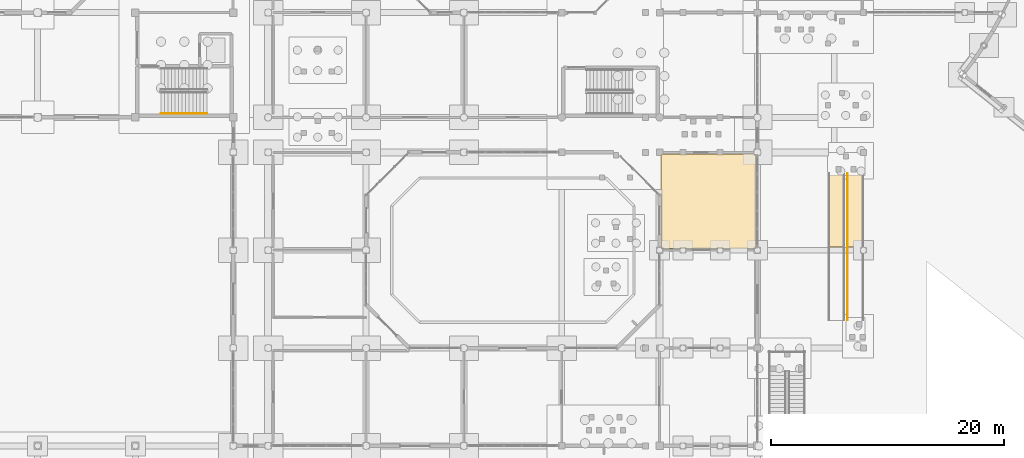
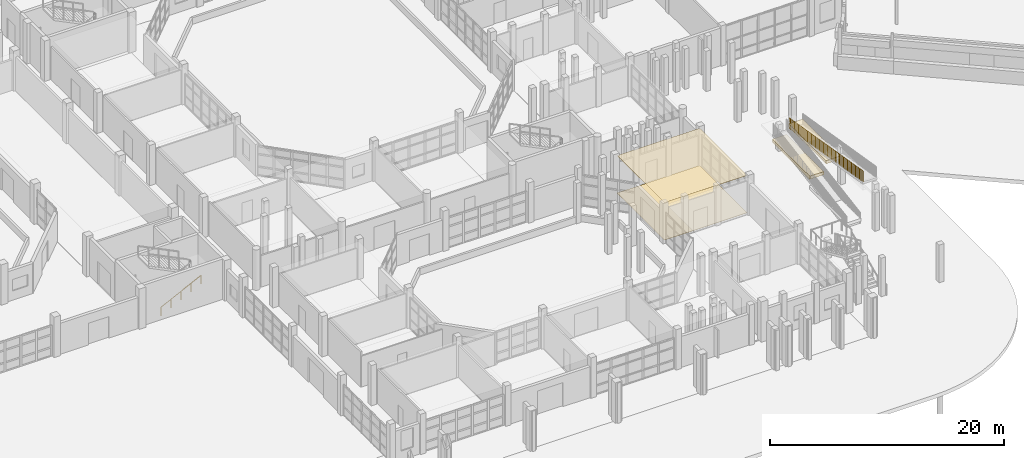
# One storey, part 76 of 88: 4 coverings, 2 railings.
"""IFC4 building model written with IfcOpenShell, lengths in metres."""

import ifcopenshell
import ifcopenshell.guid

model = None  # the IFC model being written
_history = None  # IfcOwnerHistory: only IFC2X3 demands one
_inside = {}  # id of a spatial element -> (the spatial element, [elements in it])
_under = {}  # id of a project, library or spatial element -> (it, [spatial elements below it])
_declared = {}  # id of a project -> (the project, [libraries it declares])
_typed = {}  # id of a type object -> (the type object, [elements of that type])
_made_of = {}  # id of a material, layer set ... -> (it, [elements and type objects made of it])


def new_model(schema):
    """Start an empty IFC model of exactly this schema.

    Asked for "IFC4X3", IfcOpenShell would pick the latest addendum, in which some entities
    have other attributes; the version numbers below select the first issue.
    IFC2X3 requires an IfcOwnerHistory on every rooted entity: one is made here for all.
    """
    global model, _history
    if schema == "IFC4X3":
        model = ifcopenshell.file(schema_version=(4, 3, 0, 0))
    else:
        model = ifcopenshell.file(schema=schema)
    _inside.clear()
    _under.clear()
    _declared.clear()
    _typed.clear()
    _made_of.clear()
    _history = None
    if model.schema == "IFC2X3":
        org = make("IfcOrganization", Name="unknown")
        user = make(
            "IfcPersonAndOrganization",
            ThePerson=make("IfcPerson", FamilyName="unknown"),
            TheOrganization=org,
        )
        app = make(
            "IfcApplication",
            ApplicationDeveloper=org,
            Version="unknown",
            ApplicationFullName="unknown",
            ApplicationIdentifier="unknown",
        )
        _history = make(
            "IfcOwnerHistory",
            OwningUser=user,
            OwningApplication=app,
            ChangeAction="ADDED",
            CreationDate=0,
        )
    return model


def make(cls, **values):
    """One entity of the class cls with the attributes given. An attribute that is None is left unset."""
    return model.create_entity(
        cls, **{name: value for name, value in values.items() if value is not None}
    )


def rooted(cls, **values):
    """An entity with a GlobalId (a new one), such as an element, a storey or a relation."""
    return make(cls, GlobalId=ifcopenshell.guid.new(), OwnerHistory=_history, **values)


def si_unit(unit_type, name, prefix=None):
    """IfcSIUnit, for example si_unit("LENGTHUNIT", "METRE", prefix="MILLI")."""
    return make("IfcSIUnit", UnitType=unit_type, Prefix=prefix, Name=name)


def assignment(units):
    """IfcUnitAssignment: the units of a project."""
    return None if units is None else make("IfcUnitAssignment", Units=units)


def point(xyz):
    """IfcCartesianPoint."""
    return None if xyz is None else make("IfcCartesianPoint", Coordinates=xyz)


def direction(xyz):
    """IfcDirection."""
    return None if xyz is None else make("IfcDirection", DirectionRatios=xyz)


def frame(location, z_axis=None, x_axis=None):
    """IfcAxis2Placement3D, a coordinate frame: its origin and axes. An axis left out is left unset."""
    return make(
        "IfcAxis2Placement3D",
        Location=point(location),
        Axis=direction(z_axis),
        RefDirection=direction(x_axis),
    )


def frame_2d(location, x_axis=None):
    """IfcAxis2Placement2D, a coordinate frame in the plane: its origin and x axis."""
    return make(
        "IfcAxis2Placement2D", Location=point(location), RefDirection=direction(x_axis)
    )


def origin():
    """The frame at (0, 0, 0) with its axes left unset."""
    return frame((0.0, 0.0, 0.0))


def origin_2d():
    """The frame at (0, 0) in the plane with its x axis left unset."""
    return frame_2d((0.0, 0.0))


def place(relative_to, where):
    """IfcLocalPlacement: puts the frame where relative to a parent placement (None: the world)."""
    return make(
        "IfcLocalPlacement", PlacementRelTo=relative_to, RelativePlacement=where
    )


def context(
    kind, dimensions, precision=None, world=None, true_north=None, identifier=None
):
    """IfcGeometricRepresentationContext, for example the 3D "Model" context."""
    return make(
        "IfcGeometricRepresentationContext",
        ContextIdentifier=identifier,
        ContextType=kind,
        CoordinateSpaceDimension=dimensions,
        Precision=precision,
        WorldCoordinateSystem=world,
        TrueNorth=true_north,
    )


def subcontext(parent, identifier, kind, view, scale=None):
    """IfcGeometricRepresentationSubContext, for example "Body" below "Model"."""
    return make(
        "IfcGeometricRepresentationSubContext",
        ContextIdentifier=identifier,
        ContextType=kind,
        ParentContext=parent,
        TargetScale=scale,
        TargetView=view,
    )


def project(units=None, contexts=None):
    """IfcProject with its units and contexts."""
    return rooted(
        "IfcProject",
        Name="project",
        RepresentationContexts=contexts,
        UnitsInContext=assignment(units),
    )


def spatial(cls, under=None, at=None, **own):
    """A site, building, storey or space (cls), placed at a placement, below another one or the project."""
    s = rooted(cls, ObjectPlacement=at, **own)
    if under is not None:
        _under.setdefault(under.id(), (under, []))[1].append(s)
    return s


def polyline(points):
    """IfcPolyline through the points."""
    return make("IfcPolyline", Points=[point(p) for p in points])


def profile(cls, at=None, kind="AREA", **sizes):
    """A parametric profile (cls). Its sizes go by their IFC names, for example OverallWidth=200.0."""
    return make(cls, ProfileType=kind, Position=at, **sizes)


def rectangle(**sizes):
    """IfcRectangleProfileDef."""
    return profile("IfcRectangleProfileDef", **sizes)


def circle(**sizes):
    """IfcCircleProfileDef."""
    return profile("IfcCircleProfileDef", **sizes)


def outline(outer, holes=None, kind="AREA"):
    """IfcArbitraryClosedProfileDef: a profile drawn as a closed curve; with holes, ...WithVoids."""
    if holes is None:
        return make("IfcArbitraryClosedProfileDef", ProfileType=kind, OuterCurve=outer)
    return make(
        "IfcArbitraryProfileDefWithVoids",
        ProfileType=kind,
        OuterCurve=outer,
        InnerCurves=holes,
    )


def extrude(swept, where, along, depth):
    """IfcExtrudedAreaSolid: the profile swept, set in the frame where, extruded along a direction by depth."""
    return make(
        "IfcExtrudedAreaSolid",
        SweptArea=swept,
        Position=where,
        ExtrudedDirection=direction(along),
        Depth=depth,
    )


def shape(context_of_items, identifier, shape_type, items):
    """IfcShapeRepresentation: the items that make up one representation, for example the "Body"."""
    return make(
        "IfcShapeRepresentation",
        ContextOfItems=context_of_items,
        RepresentationIdentifier=identifier,
        RepresentationType=shape_type,
        Items=items,
    )


def material(Name=None, Category=None):
    """IfcMaterial."""
    return make("IfcMaterial", Name=Name, Category=Category)


def layer(
    of_material, thickness, ventilated=None, Name=None, Category=None, Priority=None
):
    """IfcMaterialLayer: one layer of a wall or slab, of a material (None: an air gap)."""
    return make(
        "IfcMaterialLayer",
        Material=of_material,
        LayerThickness=thickness,
        IsVentilated=ventilated,
        Name=Name,
        Category=Category,
        Priority=Priority,
    )


def layer_set(layers, Name=None):
    """IfcMaterialLayerSet."""
    return make("IfcMaterialLayerSet", MaterialLayers=layers, LayerSetName=Name)


def made_of(thing, what):
    """Note that an element or type object is made of a material, layer set ...; save() writes the relation."""
    if what is not None:
        _made_of.setdefault(what.id(), (what, []))[1].append(thing)
    return thing


def type_object(cls, material=None, **own):
    """A type object (cls), such as IfcWallType, which elements share."""
    return made_of(rooted(cls, **own), material)


def element(
    cls,
    number,
    at=None,
    inside=None,
    cuts=None,
    type_object=None,
    material=None,
    context=None,
    identifier="Body",
    shape_type=None,
    held_by="IfcProductDefinitionShape",
    body=None,
    shapes=None,
    **own,
):
    """One element of the class cls, such as IfcWall. Its Tag is "e" and its number.

    at: its placement. inside: the storey or other place that contains it. cuts: it is an
    opening in that element (IfcRelVoidsElement). A single representation is given by context,
    identifier, shape_type and body (its items); several are given by shapes. held_by: the class
    of the entity that holds the representations. save() writes the other relations.
    """
    e = rooted(cls, Tag="e%d" % number, ObjectPlacement=at, **own)
    if body is not None:
        shapes = [shape(context, identifier, shape_type, body)]
    if shapes is not None:
        e.Representation = make(held_by, Representations=shapes)
    if inside is not None:
        _inside.setdefault(inside.id(), (inside, []))[1].append(e)
    if cuts is not None:
        rooted(
            "IfcRelVoidsElement", RelatingBuildingElement=cuts, RelatedOpeningElement=e
        )
    if type_object is not None:
        _typed.setdefault(type_object.id(), (type_object, []))[1].append(e)
    return made_of(e, material)


def aggregate(whole, parts):
    """IfcRelAggregates: a whole, such as a stair, and the parts it consists of."""
    return rooted("IfcRelAggregates", RelatingObject=whole, RelatedObjects=parts)


def save(model, path):
    """Write the relations noted so far, then the file.

    IfcRelAggregates (storeys below a building ...), IfcRelContainedInSpatialStructure (elements
    in a storey), IfcRelDefinesByType, IfcRelAssociatesMaterial and IfcRelDeclares: one each for
    every whole, place, type object, material and project.
    """
    for whole, parts in _under.values():
        aggregate(whole, parts)
    for where, things in _inside.values():
        rooted(
            "IfcRelContainedInSpatialStructure",
            RelatedElements=things,
            RelatingStructure=where,
        )
    for kind, things in _typed.values():
        rooted("IfcRelDefinesByType", RelatedObjects=things, RelatingType=kind)
    for what, things in _made_of.values():
        rooted("IfcRelAssociatesMaterial", RelatedObjects=things, RelatingMaterial=what)
    for by, libraries in _declared.values():
        rooted("IfcRelDeclares", RelatingContext=by, RelatedDefinitions=libraries)
    model.write(path)


model = new_model("IFC4")

# Units and contexts
model_context = context("Model", 3, precision=1e-05, world=origin(), true_north=direction((0.0, 1.0)))
body_context = subcontext(model_context, "Body", "Model", "MODEL_VIEW")
ifc_project = project(units=[si_unit("LENGTHUNIT", "METRE"), si_unit("AREAUNIT", "SQUARE_METRE"), si_unit("VOLUMEUNIT", "CUBIC_METRE"), si_unit("PLANEANGLEUNIT", "RADIAN"), si_unit("MASSUNIT", "GRAM", prefix="KILO")], contexts=[model_context])

# Site, building, storey
site_placement = place(None, origin())
site = spatial("IfcSite", under=ifc_project, at=site_placement, CompositionType="ELEMENT")
building_placement = place(site_placement, origin())
building = spatial("IfcBuilding", under=site, at=building_placement, Name="Vanh Quang Courtyard School", CompositionType="ELEMENT")
storey_placement = place(building_placement, origin())
storey = spatial("IfcBuildingStorey", under=building, at=storey_placement, Name="L00", CompositionType="ELEMENT", Elevation=0.0)

# Coverings
ifc_material_1 = material(Name="Perforated mineral-fibre acoustic ceiling board")
ifc_layer_1 = layer(ifc_material_1, 0.02490234375)
ifc_layer_set_1 = layer_set([ifc_layer_1], Name="Perforated mineral-fibre acoustic ceiling board")
covering_type_1 = type_object("IfcCoveringType", Name="COV-CEIL-ACOUSTIC", PredefinedType="CEILING", material=ifc_layer_set_1)
covering_1_placement = place(storey_placement, frame((0.0, 0.0, 3.89501953125)))
element("IfcCovering", 1, at=covering_1_placement, inside=storey, type_object=covering_type_1, Name="Covering CV-CL1 (L00)", PredefinedType="CEILING", context=body_context, shape_type="SweptSolid", body=[
    extrude(outline(polyline([(111.139892578125, 21.14990234375), (111.138916015625, 21.14990234375), (111.137939453125, 21.150146484375), (111.13720703125, 21.150390625), (111.13623046875, 21.15087890625), (111.13525390625, 21.151123046875), (111.134521484375, 21.151611328125), (111.1337890625, 21.15234375), (111.1328125, 21.15283203125), (111.13232421875, 21.15380859375), (111.131591796875, 21.154296875), (111.131103515625, 21.1552734375), (111.130859375, 21.15625), (111.13037109375, 21.156982421875), (111.130126953125, 21.157958984375), (111.1298828125, 21.158935546875), (111.1298828125, 21.159912109375), (111.1298828125, 29.239990234375), (111.1298828125, 29.240966796875), (111.130126953125, 29.241943359375), (111.13037109375, 29.242919921875), (111.130859375, 29.243896484375), (111.131103515625, 29.24462890625), (111.131591796875, 29.24560546875), (111.13232421875, 29.246337890625), (111.1328125, 29.2470703125), (111.1337890625, 29.247802734375), (111.134521484375, 29.248291015625), (111.13525390625, 29.248779296875), (111.13623046875, 29.249267578125), (111.13720703125, 29.24951171875), (111.137939453125, 29.249755859375), (111.138916015625, 29.25), (111.139892578125, 29.25), (119.260009765625, 29.25), (119.260986328125, 29.25), (119.261962890625, 29.249755859375), (119.262939453125, 29.24951171875), (119.263916015625, 29.249267578125), (119.2646484375, 29.248779296875), (119.265625, 29.248291015625), (119.266357421875, 29.247802734375), (119.26708984375, 29.2470703125), (119.267578125, 29.246337890625), (119.268310546875, 29.24560546875), (119.268798828125, 29.24462890625), (119.269287109375, 29.243896484375), (119.26953125, 29.242919921875), (119.269775390625, 29.241943359375), (119.27001953125, 29.240966796875), (119.27001953125, 29.239990234375), (119.27001953125, 21.159912109375), (119.27001953125, 21.158935546875), (119.269775390625, 21.157958984375), (119.26953125, 21.156982421875), (119.269287109375, 21.15625), (119.268798828125, 21.1552734375), (119.268310546875, 21.154296875), (119.267578125, 21.15380859375), (119.26708984375, 21.15283203125), (119.266357421875, 21.15234375), (119.265625, 21.151611328125), (119.2646484375, 21.151123046875), (119.263916015625, 21.15087890625), (119.262939453125, 21.150390625), (119.261962890625, 21.150146484375), (119.260986328125, 21.14990234375), (119.260009765625, 21.14990234375), (111.139892578125, 21.14990234375)])), origin(), (0.0, 0.0, 1.0), 0.02490234375),
])
ifc_material_2 = material(Name="Polished cementitious terrazzo tile", Category="concrete")
ifc_layer_2 = layer(ifc_material_2, 0.02001953125)
ifc_layer_set_2 = layer_set([ifc_layer_2], Name="Polished cementitious terrazzo tile")
covering_type_2 = type_object("IfcCoveringType", Name="COV-FLR-TERRAZZO", PredefinedType="FLOORING", material=ifc_layer_set_2)
covering_2_placement = place(storey_placement, origin())
element("IfcCovering", 2, at=covering_2_placement, inside=storey, type_object=covering_type_2, Name="Covering CV-FL1 (L00)", PredefinedType="FLOORING", context=body_context, shape_type="SweptSolid", body=[
    extrude(outline(polyline([(111.139892578125, 21.14990234375), (111.138916015625, 21.14990234375), (111.137939453125, 21.150146484375), (111.13720703125, 21.150390625), (111.13623046875, 21.15087890625), (111.13525390625, 21.151123046875), (111.134521484375, 21.151611328125), (111.1337890625, 21.15234375), (111.1328125, 21.15283203125), (111.13232421875, 21.15380859375), (111.131591796875, 21.154296875), (111.131103515625, 21.1552734375), (111.130859375, 21.15625), (111.13037109375, 21.156982421875), (111.130126953125, 21.157958984375), (111.1298828125, 21.158935546875), (111.1298828125, 21.159912109375), (111.1298828125, 29.239990234375), (111.1298828125, 29.240966796875), (111.130126953125, 29.241943359375), (111.13037109375, 29.242919921875), (111.130859375, 29.243896484375), (111.131103515625, 29.24462890625), (111.131591796875, 29.24560546875), (111.13232421875, 29.246337890625), (111.1328125, 29.2470703125), (111.1337890625, 29.247802734375), (111.134521484375, 29.248291015625), (111.13525390625, 29.248779296875), (111.13623046875, 29.249267578125), (111.13720703125, 29.24951171875), (111.137939453125, 29.249755859375), (111.138916015625, 29.25), (111.139892578125, 29.25), (119.260009765625, 29.25), (119.260986328125, 29.25), (119.261962890625, 29.249755859375), (119.262939453125, 29.24951171875), (119.263916015625, 29.249267578125), (119.2646484375, 29.248779296875), (119.265625, 29.248291015625), (119.266357421875, 29.247802734375), (119.26708984375, 29.2470703125), (119.267578125, 29.246337890625), (119.268310546875, 29.24560546875), (119.268798828125, 29.24462890625), (119.269287109375, 29.243896484375), (119.26953125, 29.242919921875), (119.269775390625, 29.241943359375), (119.27001953125, 29.240966796875), (119.27001953125, 29.239990234375), (119.27001953125, 21.159912109375), (119.27001953125, 21.158935546875), (119.269775390625, 21.157958984375), (119.26953125, 21.156982421875), (119.269287109375, 21.15625), (119.268798828125, 21.1552734375), (119.268310546875, 21.154296875), (119.267578125, 21.15380859375), (119.26708984375, 21.15283203125), (119.266357421875, 21.15234375), (119.265625, 21.151611328125), (119.2646484375, 21.151123046875), (119.263916015625, 21.15087890625), (119.262939453125, 21.150390625), (119.261962890625, 21.150146484375), (119.260986328125, 21.14990234375), (119.260009765625, 21.14990234375), (111.139892578125, 21.14990234375)])), origin(), (0.0, 0.0, 1.0), 0.02001953125),
])
ifc_material_3 = material(Name="Board-marked precast concrete C40/50", Category="concrete")
ifc_layer_3 = layer(ifc_material_3, 0.239990234375)
ifc_layer_set_3 = layer_set([ifc_layer_3], Name="Board-marked precast concrete C40/50")
covering_type_3 = type_object("IfcCoveringType", Name="COV-HOOD-CONC", PredefinedType="CLADDING", material=ifc_layer_set_3)
for number, where, z_axis, x_axis, name in (
    (3, (126.199951171875, 24.449951171875, 1.2548828125), (0.0, 0.0, 1.0), (1.0, 0.0, 0.0), "Covering CH-01 (L00)"),
    (4, (127.800048828125, 24.449951171875, 2.30517578125), (0.0, 0.0, 1.0), (1.0, 0.0, 0.0), "Covering CH-01 (L00)"),
):
    element("IfcCovering", number, at=place(storey_placement, frame(where, z_axis=z_axis, x_axis=x_axis)), inside=storey, type_object=covering_type_3, Name=name, PredefinedType="CLADDING", context=body_context, shape_type="SweptSolid", body=[
        extrude(rectangle(XDim=1.39990234375, YDim=6.3798828125, at=origin_2d()), origin(), (0.0, 0.0, 1.0), 0.320068359375),
    ])

# Railings
ifc_material_4 = material(Name="Galvanised painted steel EN 10025-2 S355J2", Category="steel")
railing_type_1 = type_object("IfcRailingType", Name="RAIL-GUARD-1150", PredefinedType="BALUSTRADE", material=ifc_material_4)
railing_1_placement = place(storey_placement, frame((127.14990234375, 27.60009765625, 2.10009765625)))
element("IfcRailing", 5, at=railing_1_placement, inside=storey, type_object=railing_type_1, Name="Railing GR-01 (L00)", PredefinedType="BALUSTRADE", context=body_context, shape_type="SweptSolid", body=[
    extrude(circle(Radius=0.02392578125, at=origin_2d()), frame((0.0, 0.0, 1.1259765625), z_axis=(0.0, -0.98639598997, 0.164386589997), x_axis=(1.0, 0.0, 0.0)), (0.0, 0.0, 1.0), 12.77392578125),
    extrude(circle(Radius=0.02099609375, at=origin_2d()), origin(), (0.0, 0.0, 1.0), 1.101806640625),
    extrude(circle(Radius=0.02099609375, at=origin_2d()), frame((0.0, -0.136962890625, 0.022705078125)), (0.0, 0.0, 1.0), 1.101806640625),
    extrude(circle(Radius=0.02099609375, at=origin_2d()), frame((0.0, -0.27392578125, 0.045654296875)), (0.0, 0.0, 1.0), 1.101806640625),
    extrude(circle(Radius=0.02099609375, at=origin_2d()), frame((0.0, -0.410888671875, 0.068359375)), (0.0, 0.0, 1.0), 1.101806640625),
    extrude(circle(Radius=0.02099609375, at=origin_2d()), frame((0.0, -0.5478515625, 0.09130859375)), (0.0, 0.0, 1.0), 1.101806640625),
    extrude(circle(Radius=0.02099609375, at=origin_2d()), frame((0.0, -0.684814453125, 0.114013671875)), (0.0, 0.0, 1.0), 1.101806640625),
    extrude(circle(Radius=0.02099609375, at=origin_2d()), frame((0.0, -0.82177734375, 0.136962890625)), (0.0, 0.0, 1.0), 1.101806640625),
    extrude(circle(Radius=0.02099609375, at=origin_2d()), frame((0.0, -0.958740234375, 0.15966796875)), (0.0, 0.0, 1.0), 1.101806640625),
    extrude(circle(Radius=0.02099609375, at=origin_2d()), frame((0.0, -1.095703125, 0.1826171875)), (0.0, 0.0, 1.0), 1.101806640625),
    extrude(circle(Radius=0.02099609375, at=origin_2d()), frame((0.0, -1.232666015625, 0.205322265625)), (0.0, 0.0, 1.0), 1.101806640625),
    extrude(circle(Radius=0.02099609375, at=origin_2d()), frame((0.0, -1.36962890625, 0.228271484375)), (0.0, 0.0, 1.0), 1.101806640625),
    extrude(circle(Radius=0.02099609375, at=origin_2d()), frame((0.0, -1.506591796875, 0.2509765625)), (0.0, 0.0, 1.0), 1.101806640625),
    extrude(circle(Radius=0.02099609375, at=origin_2d()), frame((0.0, -1.6435546875, 0.27392578125)), (0.0, 0.0, 1.0), 1.101806640625),
    extrude(circle(Radius=0.02099609375, at=origin_2d()), frame((0.0, -1.780517578125, 0.296630859375)), (0.0, 0.0, 1.0), 1.101806640625),
    extrude(circle(Radius=0.02099609375, at=origin_2d()), frame((0.0, -1.91748046875, 0.319580078125)), (0.0, 0.0, 1.0), 1.101806640625),
    extrude(circle(Radius=0.02099609375, at=origin_2d()), frame((0.0, -2.054443359375, 0.34228515625)), (0.0, 0.0, 1.0), 1.101806640625),
    extrude(circle(Radius=0.02099609375, at=origin_2d()), frame((0.0, -2.19140625, 0.365234375)), (0.0, 0.0, 1.0), 1.101806640625),
    extrude(circle(Radius=0.02099609375, at=origin_2d()), frame((0.0, -2.328369140625, 0.387939453125)), (0.0, 0.0, 1.0), 1.101806640625),
    extrude(circle(Radius=0.02099609375, at=origin_2d()), frame((0.0, -2.46533203125, 0.410888671875)), (0.0, 0.0, 1.0), 1.101806640625),
    extrude(circle(Radius=0.02099609375, at=origin_2d()), frame((0.0, -2.602294921875, 0.43359375)), (0.0, 0.0, 1.0), 1.101806640625),
    extrude(circle(Radius=0.02099609375, at=origin_2d()), frame((0.0, -2.7392578125, 0.45654296875)), (0.0, 0.0, 1.0), 1.101806640625),
    extrude(circle(Radius=0.02099609375, at=origin_2d()), frame((0.0, -2.876220703125, 0.479248046875)), (0.0, 0.0, 1.0), 1.101806640625),
    extrude(circle(Radius=0.02099609375, at=origin_2d()), frame((0.0, -3.01318359375, 0.502197265625)), (0.0, 0.0, 1.0), 1.101806640625),
    extrude(circle(Radius=0.02099609375, at=origin_2d()), frame((0.0, -3.14990234375, 0.52490234375)), (0.0, 0.0, 1.0), 1.101806640625),
    extrude(circle(Radius=0.02099609375, at=origin_2d()), frame((0.0, -3.286865234375, 0.5478515625)), (0.0, 0.0, 1.0), 1.101806640625),
    extrude(circle(Radius=0.02099609375, at=origin_2d()), frame((0.0, -3.423828125, 0.570556640625)), (0.0, 0.0, 1.0), 1.101806640625),
    extrude(circle(Radius=0.02099609375, at=origin_2d()), frame((0.0, -3.560791015625, 0.593505859375)), (0.0, 0.0, 1.0), 1.101806640625),
    extrude(circle(Radius=0.02099609375, at=origin_2d()), frame((0.0, -3.69775390625, 0.6162109375)), (0.0, 0.0, 1.0), 1.101806640625),
    extrude(circle(Radius=0.02099609375, at=origin_2d()), frame((0.0, -3.834716796875, 0.63916015625)), (0.0, 0.0, 1.0), 1.101806640625),
    extrude(circle(Radius=0.02099609375, at=origin_2d()), frame((0.0, -3.9716796875, 0.661865234375)), (0.0, 0.0, 1.0), 1.101806640625),
    extrude(circle(Radius=0.02099609375, at=origin_2d()), frame((0.0, -4.108642578125, 0.684814453125)), (0.0, 0.0, 1.0), 1.101806640625),
    extrude(circle(Radius=0.02099609375, at=origin_2d()), frame((0.0, -4.24560546875, 0.70751953125)), (0.0, 0.0, 1.0), 1.101806640625),
    extrude(circle(Radius=0.02099609375, at=origin_2d()), frame((0.0, -4.382568359375, 0.73046875)), (0.0, 0.0, 1.0), 1.101806640625),
    extrude(circle(Radius=0.02099609375, at=origin_2d()), frame((0.0, -4.51953125, 0.753173828125)), (0.0, 0.0, 1.0), 1.101806640625),
    extrude(circle(Radius=0.02099609375, at=origin_2d()), frame((0.0, -4.656494140625, 0.776123046875)), (0.0, 0.0, 1.0), 1.101806640625),
    extrude(circle(Radius=0.02099609375, at=origin_2d()), frame((0.0, -4.79345703125, 0.798828125)), (0.0, 0.0, 1.0), 1.101806640625),
    extrude(circle(Radius=0.02099609375, at=origin_2d()), frame((0.0, -4.930419921875, 0.82177734375)), (0.0, 0.0, 1.0), 1.101806640625),
    extrude(circle(Radius=0.02099609375, at=origin_2d()), frame((0.0, -5.0673828125, 0.844482421875)), (0.0, 0.0, 1.0), 1.101806640625),
    extrude(circle(Radius=0.02099609375, at=origin_2d()), frame((0.0, -5.204345703125, 0.867431640625)), (0.0, 0.0, 1.0), 1.101806640625),
    extrude(circle(Radius=0.02099609375, at=origin_2d()), frame((0.0, -5.34130859375, 0.89013671875)), (0.0, 0.0, 1.0), 1.101806640625),
    extrude(circle(Radius=0.02099609375, at=origin_2d()), frame((0.0, -5.478271484375, 0.9130859375)), (0.0, 0.0, 1.0), 1.101806640625),
    extrude(circle(Radius=0.02099609375, at=origin_2d()), frame((0.0, -5.615234375, 0.935791015625)), (0.0, 0.0, 1.0), 1.101806640625),
    extrude(circle(Radius=0.02099609375, at=origin_2d()), frame((0.0, -5.752197265625, 0.958740234375)), (0.0, 0.0, 1.0), 1.101806640625),
    extrude(circle(Radius=0.02099609375, at=origin_2d()), frame((0.0, -5.88916015625, 0.9814453125)), (0.0, 0.0, 1.0), 1.101806640625),
    extrude(circle(Radius=0.02099609375, at=origin_2d()), frame((0.0, -6.026123046875, 1.00439453125)), (0.0, 0.0, 1.0), 1.101806640625),
    extrude(circle(Radius=0.02099609375, at=origin_2d()), frame((0.0, -6.1630859375, 1.027099609375)), (0.0, 0.0, 1.0), 1.101806640625),
    extrude(circle(Radius=0.02099609375, at=origin_2d()), frame((0.0, -6.300048828125, 1.0498046875)), (0.0, 0.0, 1.0), 1.101806640625),
    extrude(circle(Radius=0.02099609375, at=origin_2d()), frame((0.0, -6.43701171875, 1.07275390625)), (0.0, 0.0, 1.0), 1.101806640625),
    extrude(circle(Radius=0.02099609375, at=origin_2d()), frame((0.0, -6.573974609375, 1.095458984375)), (0.0, 0.0, 1.0), 1.101806640625),
    extrude(circle(Radius=0.02099609375, at=origin_2d()), frame((0.0, -6.7109375, 1.118408203125)), (0.0, 0.0, 1.0), 1.101806640625),
    extrude(circle(Radius=0.02099609375, at=origin_2d()), frame((0.0, -6.847900390625, 1.14111328125)), (0.0, 0.0, 1.0), 1.101806640625),
    extrude(circle(Radius=0.02099609375, at=origin_2d()), frame((0.0, -6.98486328125, 1.1640625)), (0.0, 0.0, 1.0), 1.101806640625),
    extrude(circle(Radius=0.02099609375, at=origin_2d()), frame((0.0, -7.121826171875, 1.186767578125)), (0.0, 0.0, 1.0), 1.101806640625),
    extrude(circle(Radius=0.02099609375, at=origin_2d()), frame((0.0, -7.2587890625, 1.209716796875)), (0.0, 0.0, 1.0), 1.101806640625),
    extrude(circle(Radius=0.02099609375, at=origin_2d()), frame((0.0, -7.395751953125, 1.232421875)), (0.0, 0.0, 1.0), 1.101806640625),
    extrude(circle(Radius=0.02099609375, at=origin_2d()), frame((0.0, -7.53271484375, 1.25537109375)), (0.0, 0.0, 1.0), 1.101806640625),
    extrude(circle(Radius=0.02099609375, at=origin_2d()), frame((0.0, -7.669677734375, 1.278076171875)), (0.0, 0.0, 1.0), 1.101806640625),
    extrude(circle(Radius=0.02099609375, at=origin_2d()), frame((0.0, -7.806640625, 1.301025390625)), (0.0, 0.0, 1.0), 1.101806640625),
    extrude(circle(Radius=0.02099609375, at=origin_2d()), frame((0.0, -7.943603515625, 1.32373046875)), (0.0, 0.0, 1.0), 1.101806640625),
    extrude(circle(Radius=0.02099609375, at=origin_2d()), frame((0.0, -8.08056640625, 1.3466796875)), (0.0, 0.0, 1.0), 1.101806640625),
    extrude(circle(Radius=0.02099609375, at=origin_2d()), frame((0.0, -8.217529296875, 1.369384765625)), (0.0, 0.0, 1.0), 1.101806640625),
    extrude(circle(Radius=0.02099609375, at=origin_2d()), frame((0.0, -8.3544921875, 1.392333984375)), (0.0, 0.0, 1.0), 1.101806640625),
    extrude(circle(Radius=0.02099609375, at=origin_2d()), frame((0.0, -8.491455078125, 1.4150390625)), (0.0, 0.0, 1.0), 1.101806640625),
    extrude(circle(Radius=0.02099609375, at=origin_2d()), frame((0.0, -8.62841796875, 1.43798828125)), (0.0, 0.0, 1.0), 1.101806640625),
    extrude(circle(Radius=0.02099609375, at=origin_2d()), frame((0.0, -8.765380859375, 1.460693359375)), (0.0, 0.0, 1.0), 1.101806640625),
    extrude(circle(Radius=0.02099609375, at=origin_2d()), frame((0.0, -8.90234375, 1.483642578125)), (0.0, 0.0, 1.0), 1.101806640625),
    extrude(circle(Radius=0.02099609375, at=origin_2d()), frame((0.0, -9.039306640625, 1.50634765625)), (0.0, 0.0, 1.0), 1.101806640625),
    extrude(circle(Radius=0.02099609375, at=origin_2d()), frame((0.0, -9.17626953125, 1.529296875)), (0.0, 0.0, 1.0), 1.101806640625),
    extrude(circle(Radius=0.02099609375, at=origin_2d()), frame((0.0, -9.313232421875, 1.552001953125)), (0.0, 0.0, 1.0), 1.101806640625),
    extrude(circle(Radius=0.02099609375, at=origin_2d()), frame((0.0, -9.4501953125, 1.574951171875)), (0.0, 0.0, 1.0), 1.101806640625),
    extrude(circle(Radius=0.02099609375, at=origin_2d()), frame((0.0, -9.5869140625, 1.59765625)), (0.0, 0.0, 1.0), 1.101806640625),
    extrude(circle(Radius=0.02099609375, at=origin_2d()), frame((0.0, -9.723876953125, 1.62060546875)), (0.0, 0.0, 1.0), 1.101806640625),
    extrude(circle(Radius=0.02099609375, at=origin_2d()), frame((0.0, -9.86083984375, 1.643310546875)), (0.0, 0.0, 1.0), 1.101806640625),
    extrude(circle(Radius=0.02099609375, at=origin_2d()), frame((0.0, -9.997802734375, 1.666259765625)), (0.0, 0.0, 1.0), 1.101806640625),
    extrude(circle(Radius=0.02099609375, at=origin_2d()), frame((0.0, -10.134765625, 1.68896484375)), (0.0, 0.0, 1.0), 1.101806640625),
    extrude(circle(Radius=0.02099609375, at=origin_2d()), frame((0.0, -10.271728515625, 1.7119140625)), (0.0, 0.0, 1.0), 1.101806640625),
    extrude(circle(Radius=0.02099609375, at=origin_2d()), frame((0.0, -10.40869140625, 1.734619140625)), (0.0, 0.0, 1.0), 1.101806640625),
    extrude(circle(Radius=0.02099609375, at=origin_2d()), frame((0.0, -10.545654296875, 1.757568359375)), (0.0, 0.0, 1.0), 1.101806640625),
    extrude(circle(Radius=0.02099609375, at=origin_2d()), frame((0.0, -10.6826171875, 1.7802734375)), (0.0, 0.0, 1.0), 1.101806640625),
    extrude(circle(Radius=0.02099609375, at=origin_2d()), frame((0.0, -10.819580078125, 1.80322265625)), (0.0, 0.0, 1.0), 1.101806640625),
    extrude(circle(Radius=0.02099609375, at=origin_2d()), frame((0.0, -10.95654296875, 1.825927734375)), (0.0, 0.0, 1.0), 1.101806640625),
    extrude(circle(Radius=0.02099609375, at=origin_2d()), frame((0.0, -11.093505859375, 1.848876953125)), (0.0, 0.0, 1.0), 1.101806640625),
    extrude(circle(Radius=0.02099609375, at=origin_2d()), frame((0.0, -11.23046875, 1.87158203125)), (0.0, 0.0, 1.0), 1.101806640625),
    extrude(circle(Radius=0.02099609375, at=origin_2d()), frame((0.0, -11.367431640625, 1.89453125)), (0.0, 0.0, 1.0), 1.101806640625),
    extrude(circle(Radius=0.02099609375, at=origin_2d()), frame((0.0, -11.50439453125, 1.917236328125)), (0.0, 0.0, 1.0), 1.101806640625),
    extrude(circle(Radius=0.02099609375, at=origin_2d()), frame((0.0, -11.641357421875, 1.940185546875)), (0.0, 0.0, 1.0), 1.101806640625),
    extrude(circle(Radius=0.02099609375, at=origin_2d()), frame((0.0, -11.7783203125, 1.962890625)), (0.0, 0.0, 1.0), 1.101806640625),
    extrude(circle(Radius=0.02099609375, at=origin_2d()), frame((0.0, -11.915283203125, 1.98583984375)), (0.0, 0.0, 1.0), 1.101806640625),
    extrude(circle(Radius=0.02099609375, at=origin_2d()), frame((0.0, -12.05224609375, 2.008544921875)), (0.0, 0.0, 1.0), 1.101806640625),
    extrude(circle(Radius=0.02099609375, at=origin_2d()), frame((0.0, -12.189208984375, 2.031494140625)), (0.0, 0.0, 1.0), 1.101806640625),
    extrude(circle(Radius=0.02099609375, at=origin_2d()), frame((0.0, -12.326171875, 2.05419921875)), (0.0, 0.0, 1.0), 1.101806640625),
    extrude(circle(Radius=0.02099609375, at=origin_2d()), frame((0.0, -12.463134765625, 2.0771484375)), (0.0, 0.0, 1.0), 1.101806640625),
    extrude(circle(Radius=0.02099609375, at=origin_2d()), frame((0.0, -12.60009765625, 2.099853515625)), (0.0, 0.0, 1.0), 1.101806640625),
])
ifc_material_5 = material(Name="Brushed stainless steel", Category="steel")
railing_type_2 = type_object("IfcRailingType", Name="RAIL-HAND-900", PredefinedType="HANDRAIL", material=ifc_material_5)
railing_2_placement = place(storey_placement, frame((68.179931640625, 32.72998046875, 0.14990234375)))
element("IfcRailing", 6, at=railing_2_placement, inside=storey, type_object=railing_type_2, Name="L00 ST-04 stair handrail 1", PredefinedType="HANDRAIL", context=body_context, shape_type="SweptSolid", body=[
    extrude(circle(Radius=0.02392578125, at=origin_2d()), frame((0.0, 0.0, 0.8759765625), z_axis=(0.897336335206, 0.0, 0.441347370582), x_axis=(0.0, 1.0, 0.0)), (0.0, 0.0, 1.0), 4.418701171875),
    extrude(circle(Radius=0.02099609375, at=origin_2d()), origin(), (0.0, 0.0, 1.0), 0.851806640625),
    extrude(circle(Radius=0.02099609375, at=origin_2d()), frame((0.9912109375, 0.0, 0.487548828125)), (0.0, 0.0, 1.0), 0.851806640625),
    extrude(circle(Radius=0.02099609375, at=origin_2d()), frame((1.982421875, 0.0, 0.97509765625)), (0.0, 0.0, 1.0), 0.851806640625),
    extrude(circle(Radius=0.02099609375, at=origin_2d()), frame((2.973876953125, 0.0, 1.462646484375)), (0.0, 0.0, 1.0), 0.851806640625),
    extrude(circle(Radius=0.02099609375, at=origin_2d()), frame((3.965087890625, 0.0, 1.9501953125)), (0.0, 0.0, 1.0), 0.851806640625),
])

save(model, "model.ifc")
